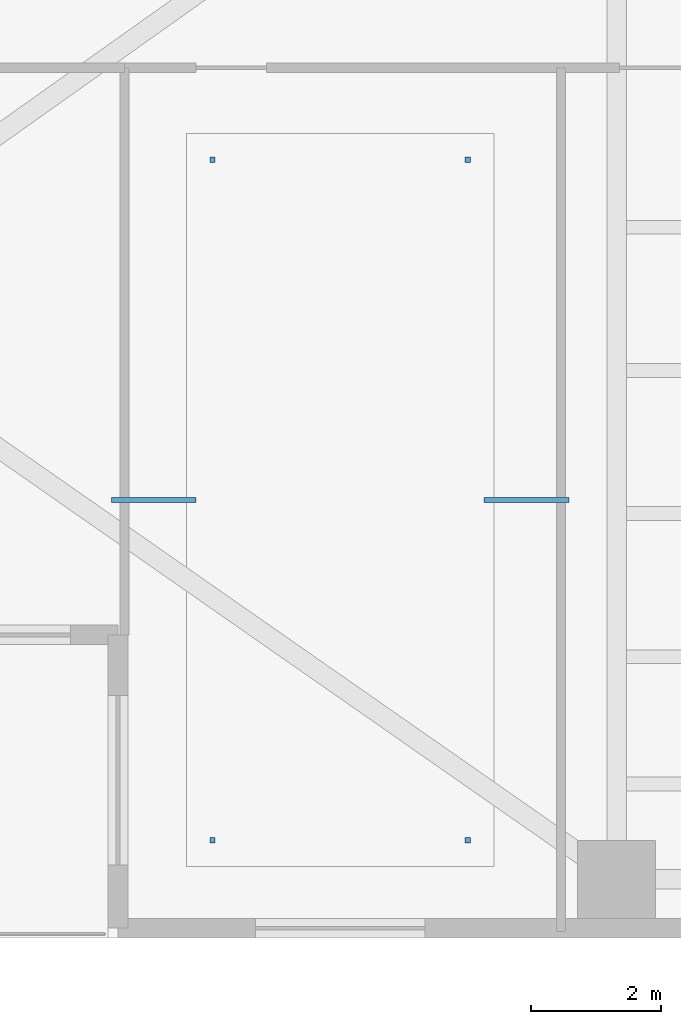
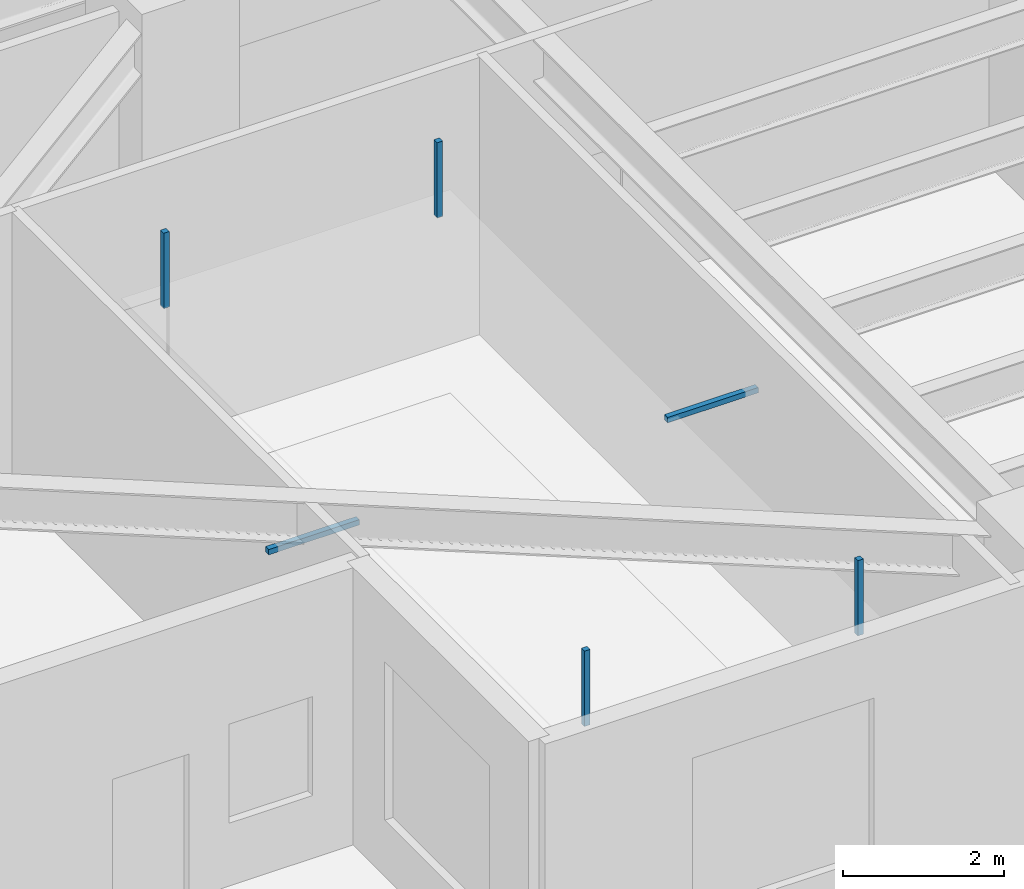
# One storey, part 34 of 40: 6 discrete accessories.
"""IFC4 building model written with IfcOpenShell, lengths in metres."""

from ifc_helpers import new_model, si_unit, direction, frame, origin, origin_2d, place, context, subcontext, project, spatial, rectangle, extrude, material, type_object, element, save


model = new_model("IFC4")

# Units and contexts
model_context = context("Model", 3, precision=1e-05, world=origin(), true_north=direction((0.0, 1.0)))
body_context = subcontext(model_context, "Body", "Model", "MODEL_VIEW")
ifc_project = project(units=[si_unit("LENGTHUNIT", "METRE"), si_unit("AREAUNIT", "SQUARE_METRE"), si_unit("VOLUMEUNIT", "CUBIC_METRE"), si_unit("PLANEANGLEUNIT", "RADIAN"), si_unit("MASSUNIT", "GRAM", prefix="KILO")], contexts=[model_context])

# Site, building, storey
site_placement = place(None, origin())
site = spatial("IfcSite", under=ifc_project, at=site_placement, CompositionType="ELEMENT")
building_placement = place(site_placement, origin())
building = spatial("IfcBuilding", under=site, at=building_placement, Name="Tarnavaz Court Tower", CompositionType="ELEMENT")
storey_placement = place(building_placement, frame((0.0, 0.0, 64.199951171875)))
storey = spatial("IfcBuildingStorey", under=building, at=storey_placement, Name="L17", CompositionType="ELEMENT", Elevation=64.199951171875)

# Discrete accessories
ifc_material = material(Name="Anodised Aluminium 6063-T6", Category="aluminium")
discrete_accessory_type = type_object("IfcDiscreteAccessoryType", Name="DA-BRKT-ALU", PredefinedType="BRACKET", material=ifc_material)
for number, where, z_axis, x_axis, name in (
    (1, (-21.199951171875, -22.199951171875, 3.09033203125), (0.0, 0.0, 1.0), (1.0, 0.0, 0.0), "L17 Ceiling Suspension Hanger Bracket 04-1"),
    (2, (-17.283935546875, -22.199951171875, 3.09033203125), (0.0, 0.0, 1.0), (1.0, 0.0, 0.0), "L17 Ceiling Suspension Hanger Bracket 04-2"),
    (3, (-17.283935546875, -11.760009765625, 3.09033203125), (0.0, 0.0, 1.0), (1.0, 0.0, 0.0), "L17 Ceiling Suspension Hanger Bracket 04-3"),
    (4, (-21.199951171875, -11.760009765625, 3.09033203125), (0.0, 0.0, 1.0), (1.0, 0.0, 0.0), "L17 Ceiling Suspension Hanger Bracket 04-4"),
):
    element("IfcDiscreteAccessory", number, at=place(storey_placement, frame(where, z_axis=z_axis, x_axis=x_axis)), inside=storey, type_object=discrete_accessory_type, Name=name, PredefinedType="BRACKET", context=body_context, shape_type="SweptSolid", body=[
        extrude(rectangle(XDim=0.080078125, YDim=0.080078125, at=origin_2d()), origin(), (0.0, 0.0, 1.0), 1.139892578125),
    ])
for number, where, z_axis, x_axis, name in (
    (5, (-22.10009765625, -16.97998046875, 3.052490234375), (0.0, 0.0, 1.0), (1.0, 0.0, 0.0), "L17 Ceiling Perimeter Wall-Tie Bracket 04-1"),
    (6, (-16.384033203125, -16.97998046875, 3.052490234375), (0.0, 0.0, 1.0), (1.0, 0.0, 0.0), "L17 Ceiling Perimeter Wall-Tie Bracket 04-2"),
):
    element("IfcDiscreteAccessory", number, at=place(storey_placement, frame(where, z_axis=z_axis, x_axis=x_axis)), inside=storey, type_object=discrete_accessory_type, Name=name, PredefinedType="BRACKET", context=body_context, shape_type="SweptSolid", body=[
        extrude(rectangle(XDim=1.300048828125, YDim=0.080078125, at=origin_2d()), origin(), (0.0, 0.0, 1.0), 0.080078125),
    ])

save(model, "model.ifc")
